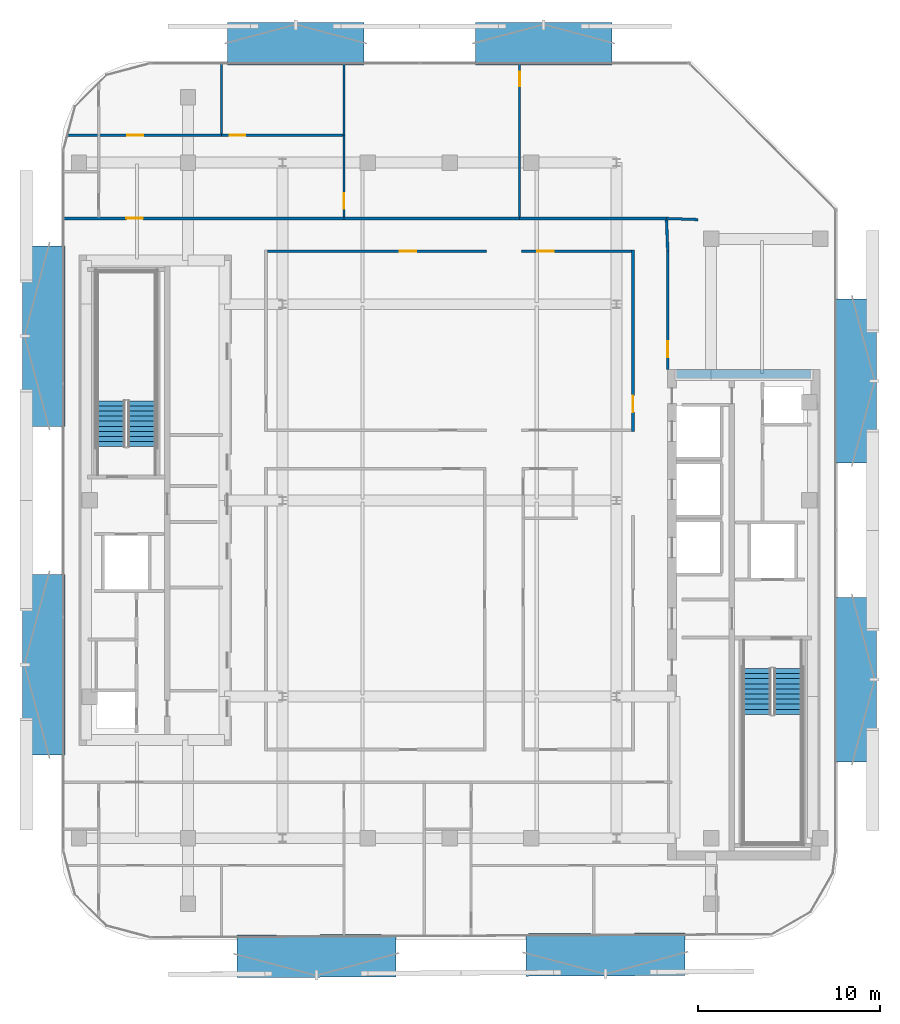
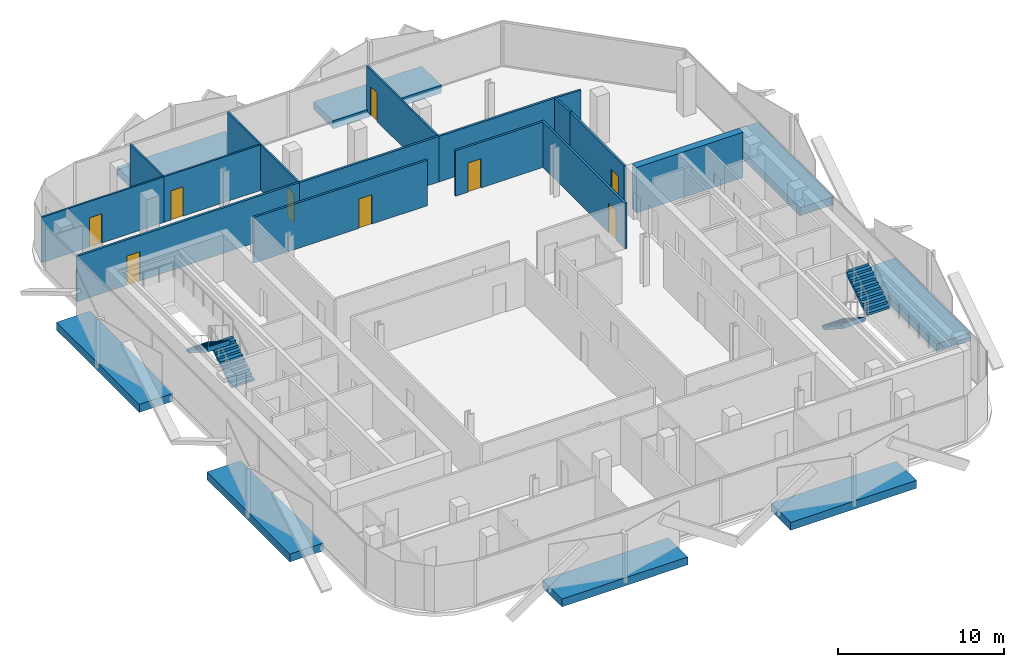
# One storey, part 6 of 15: 16 walls, 9 doors, 8 discrete accessories, 4 stair flights, 9 openings, 2 elements without a shape of their own.
"""IFC4 building model written with IfcOpenShell, lengths in metres."""

import ifcopenshell
import ifcopenshell.guid

model = None  # the IFC model being written
_history = None  # IfcOwnerHistory: only IFC2X3 demands one
_inside = {}  # id of a spatial element -> (the spatial element, [elements in it])
_under = {}  # id of a project, library or spatial element -> (it, [spatial elements below it])
_declared = {}  # id of a project -> (the project, [libraries it declares])
_typed = {}  # id of a type object -> (the type object, [elements of that type])
_made_of = {}  # id of a material, layer set ... -> (it, [elements and type objects made of it])


def new_model(schema):
    """Start an empty IFC model of exactly this schema.

    Asked for "IFC4X3", IfcOpenShell would pick the latest addendum, in which some entities
    have other attributes; the version numbers below select the first issue.
    IFC2X3 requires an IfcOwnerHistory on every rooted entity: one is made here for all.
    """
    global model, _history
    if schema == "IFC4X3":
        model = ifcopenshell.file(schema_version=(4, 3, 0, 0))
    else:
        model = ifcopenshell.file(schema=schema)
    _inside.clear()
    _under.clear()
    _declared.clear()
    _typed.clear()
    _made_of.clear()
    _history = None
    if model.schema == "IFC2X3":
        org = make("IfcOrganization", Name="unknown")
        user = make(
            "IfcPersonAndOrganization",
            ThePerson=make("IfcPerson", FamilyName="unknown"),
            TheOrganization=org,
        )
        app = make(
            "IfcApplication",
            ApplicationDeveloper=org,
            Version="unknown",
            ApplicationFullName="unknown",
            ApplicationIdentifier="unknown",
        )
        _history = make(
            "IfcOwnerHistory",
            OwningUser=user,
            OwningApplication=app,
            ChangeAction="ADDED",
            CreationDate=0,
        )
    return model


def make(cls, **values):
    """One entity of the class cls with the attributes given. An attribute that is None is left unset."""
    return model.create_entity(
        cls, **{name: value for name, value in values.items() if value is not None}
    )


def rooted(cls, **values):
    """An entity with a GlobalId (a new one), such as an element, a storey or a relation."""
    return make(cls, GlobalId=ifcopenshell.guid.new(), OwnerHistory=_history, **values)


def si_unit(unit_type, name, prefix=None):
    """IfcSIUnit, for example si_unit("LENGTHUNIT", "METRE", prefix="MILLI")."""
    return make("IfcSIUnit", UnitType=unit_type, Prefix=prefix, Name=name)


def assignment(units):
    """IfcUnitAssignment: the units of a project."""
    return None if units is None else make("IfcUnitAssignment", Units=units)


def point(xyz):
    """IfcCartesianPoint."""
    return None if xyz is None else make("IfcCartesianPoint", Coordinates=xyz)


def direction(xyz):
    """IfcDirection."""
    return None if xyz is None else make("IfcDirection", DirectionRatios=xyz)


def frame(location, z_axis=None, x_axis=None):
    """IfcAxis2Placement3D, a coordinate frame: its origin and axes. An axis left out is left unset."""
    return make(
        "IfcAxis2Placement3D",
        Location=point(location),
        Axis=direction(z_axis),
        RefDirection=direction(x_axis),
    )


def frame_2d(location, x_axis=None):
    """IfcAxis2Placement2D, a coordinate frame in the plane: its origin and x axis."""
    return make(
        "IfcAxis2Placement2D", Location=point(location), RefDirection=direction(x_axis)
    )


def origin():
    """The frame at (0, 0, 0) with its axes left unset."""
    return frame((0.0, 0.0, 0.0))


def origin_2d():
    """The frame at (0, 0) in the plane with its x axis left unset."""
    return frame_2d((0.0, 0.0))


def place(relative_to, where):
    """IfcLocalPlacement: puts the frame where relative to a parent placement (None: the world)."""
    return make(
        "IfcLocalPlacement", PlacementRelTo=relative_to, RelativePlacement=where
    )


def context(
    kind, dimensions, precision=None, world=None, true_north=None, identifier=None
):
    """IfcGeometricRepresentationContext, for example the 3D "Model" context."""
    return make(
        "IfcGeometricRepresentationContext",
        ContextIdentifier=identifier,
        ContextType=kind,
        CoordinateSpaceDimension=dimensions,
        Precision=precision,
        WorldCoordinateSystem=world,
        TrueNorth=true_north,
    )


def subcontext(parent, identifier, kind, view, scale=None):
    """IfcGeometricRepresentationSubContext, for example "Body" below "Model"."""
    return make(
        "IfcGeometricRepresentationSubContext",
        ContextIdentifier=identifier,
        ContextType=kind,
        ParentContext=parent,
        TargetScale=scale,
        TargetView=view,
    )


def project(units=None, contexts=None):
    """IfcProject with its units and contexts."""
    return rooted(
        "IfcProject",
        Name="project",
        RepresentationContexts=contexts,
        UnitsInContext=assignment(units),
    )


def spatial(cls, under=None, at=None, **own):
    """A site, building, storey or space (cls), placed at a placement, below another one or the project."""
    s = rooted(cls, ObjectPlacement=at, **own)
    if under is not None:
        _under.setdefault(under.id(), (under, []))[1].append(s)
    return s


def polyline(points):
    """IfcPolyline through the points."""
    return make("IfcPolyline", Points=[point(p) for p in points])


def profile(cls, at=None, kind="AREA", **sizes):
    """A parametric profile (cls). Its sizes go by their IFC names, for example OverallWidth=200.0."""
    return make(cls, ProfileType=kind, Position=at, **sizes)


def rectangle(**sizes):
    """IfcRectangleProfileDef."""
    return profile("IfcRectangleProfileDef", **sizes)


def outline(outer, holes=None, kind="AREA"):
    """IfcArbitraryClosedProfileDef: a profile drawn as a closed curve; with holes, ...WithVoids."""
    if holes is None:
        return make("IfcArbitraryClosedProfileDef", ProfileType=kind, OuterCurve=outer)
    return make(
        "IfcArbitraryProfileDefWithVoids",
        ProfileType=kind,
        OuterCurve=outer,
        InnerCurves=holes,
    )


def extrude(swept, where, along, depth):
    """IfcExtrudedAreaSolid: the profile swept, set in the frame where, extruded along a direction by depth."""
    return make(
        "IfcExtrudedAreaSolid",
        SweptArea=swept,
        Position=where,
        ExtrudedDirection=direction(along),
        Depth=depth,
    )


def shape(context_of_items, identifier, shape_type, items):
    """IfcShapeRepresentation: the items that make up one representation, for example the "Body"."""
    return make(
        "IfcShapeRepresentation",
        ContextOfItems=context_of_items,
        RepresentationIdentifier=identifier,
        RepresentationType=shape_type,
        Items=items,
    )


def material(Name=None, Category=None):
    """IfcMaterial."""
    return make("IfcMaterial", Name=Name, Category=Category)


def layer(
    of_material, thickness, ventilated=None, Name=None, Category=None, Priority=None
):
    """IfcMaterialLayer: one layer of a wall or slab, of a material (None: an air gap)."""
    return make(
        "IfcMaterialLayer",
        Material=of_material,
        LayerThickness=thickness,
        IsVentilated=ventilated,
        Name=Name,
        Category=Category,
        Priority=Priority,
    )


def layer_set(layers, Name=None):
    """IfcMaterialLayerSet."""
    return make("IfcMaterialLayerSet", MaterialLayers=layers, LayerSetName=Name)


def made_of(thing, what):
    """Note that an element or type object is made of a material, layer set ...; save() writes the relation."""
    if what is not None:
        _made_of.setdefault(what.id(), (what, []))[1].append(thing)
    return thing


def type_object(cls, material=None, **own):
    """A type object (cls), such as IfcWallType, which elements share."""
    return made_of(rooted(cls, **own), material)


def element(
    cls,
    number,
    at=None,
    inside=None,
    cuts=None,
    type_object=None,
    material=None,
    context=None,
    identifier="Body",
    shape_type=None,
    held_by="IfcProductDefinitionShape",
    body=None,
    shapes=None,
    **own,
):
    """One element of the class cls, such as IfcWall. Its Tag is "e" and its number.

    at: its placement. inside: the storey or other place that contains it. cuts: it is an
    opening in that element (IfcRelVoidsElement). A single representation is given by context,
    identifier, shape_type and body (its items); several are given by shapes. held_by: the class
    of the entity that holds the representations. save() writes the other relations.
    """
    e = rooted(cls, Tag="e%d" % number, ObjectPlacement=at, **own)
    if body is not None:
        shapes = [shape(context, identifier, shape_type, body)]
    if shapes is not None:
        e.Representation = make(held_by, Representations=shapes)
    if inside is not None:
        _inside.setdefault(inside.id(), (inside, []))[1].append(e)
    if cuts is not None:
        rooted(
            "IfcRelVoidsElement", RelatingBuildingElement=cuts, RelatedOpeningElement=e
        )
    if type_object is not None:
        _typed.setdefault(type_object.id(), (type_object, []))[1].append(e)
    return made_of(e, material)


def fill(opening, filler):
    """IfcRelFillsElement: the door or window that sits in an opening."""
    return rooted(
        "IfcRelFillsElement",
        RelatingOpeningElement=opening,
        RelatedBuildingElement=filler,
    )


def aggregate(whole, parts):
    """IfcRelAggregates: a whole, such as a stair, and the parts it consists of."""
    return rooted("IfcRelAggregates", RelatingObject=whole, RelatedObjects=parts)


def save(model, path):
    """Write the relations noted so far, then the file.

    IfcRelAggregates (storeys below a building ...), IfcRelContainedInSpatialStructure (elements
    in a storey), IfcRelDefinesByType, IfcRelAssociatesMaterial and IfcRelDeclares: one each for
    every whole, place, type object, material and project.
    """
    for whole, parts in _under.values():
        aggregate(whole, parts)
    for where, things in _inside.values():
        rooted(
            "IfcRelContainedInSpatialStructure",
            RelatedElements=things,
            RelatingStructure=where,
        )
    for kind, things in _typed.values():
        rooted("IfcRelDefinesByType", RelatedObjects=things, RelatingType=kind)
    for what, things in _made_of.values():
        rooted("IfcRelAssociatesMaterial", RelatedObjects=things, RelatingMaterial=what)
    for by, libraries in _declared.values():
        rooted("IfcRelDeclares", RelatingContext=by, RelatedDefinitions=libraries)
    model.write(path)


model = new_model("IFC4")

# Units and contexts
model_context = context("Model", 3, precision=1e-05, world=origin(), true_north=direction((0.0, 1.0)))
body_context = subcontext(model_context, "Body", "Model", "MODEL_VIEW")
ifc_project = project(units=[si_unit("LENGTHUNIT", "METRE"), si_unit("AREAUNIT", "SQUARE_METRE"), si_unit("VOLUMEUNIT", "CUBIC_METRE"), si_unit("PLANEANGLEUNIT", "RADIAN"), si_unit("MASSUNIT", "GRAM", prefix="KILO")], contexts=[model_context])

# Site, building, storey
site_placement = place(None, origin())
site = spatial("IfcSite", under=ifc_project, at=site_placement, CompositionType="ELEMENT")
building_placement = place(site_placement, origin())
building = spatial("IfcBuilding", under=site, at=building_placement, Name="Khairoan Windgate Tower", CompositionType="ELEMENT")
storey_placement = place(building_placement, frame((0.0, 0.0, 265.60009765625)))
storey = spatial("IfcBuildingStorey", under=building, at=storey_placement, Name="L63", CompositionType="ELEMENT", Elevation=265.60009765625)

# Wall
ifc_material_1 = material(Name="Acoustic Fire-Rated Gypsum Partition", Category="gypsum")
ifc_layer_1 = layer(ifc_material_1, 0.139892578125, Name="Acoustic Fire-Rated Gypsum Partition")
ifc_layer_set_1 = layer_set([ifc_layer_1], Name="Acoustic Fire-Rated Gypsum Partition")
wall_type_1 = type_object("IfcWallType", Name="Inter-Tenancy Compartment Wall", PredefinedType="PARTITIONING", material=ifc_layer_set_1)
wall_1_placement = place(storey_placement, frame((11.93994140625, 15.52490234375, 0.0), z_axis=(0.0, 0.0, 1.0), x_axis=(0.999304229002, -0.037296888581, 0.0)))
element("IfcWall", 1, at=wall_1_placement, inside=storey, type_object=wall_type_1, Name="L63 Interior Partition 044", PredefinedType="PARTITIONING", context=body_context, shape_type="SweptSolid", body=[
    extrude(rectangle(XDim=1.7412109375, YDim=0.139892578125, at=frame_2d((0.87060546875, 0.0))), origin(), (0.0, 0.0, 1.0), 3.33984375),
])

# Wall, opening, door
ifc_material_2 = material(Name="Gypsum Stud Partition", Category="gypsum")
ifc_layer_2 = layer(ifc_material_2, 0.1201171875, Name="Gypsum Stud Partition")
ifc_layer_set_2 = layer_set([ifc_layer_2], Name="Gypsum Stud Partition")
wall_type_2 = type_object("IfcWallType", Name="Internal Room Partition Wall", PredefinedType="PARTITIONING", material=ifc_layer_set_2)
wall_2_placement = place(storey_placement, frame((-5.81005859375, 15.60009765625, 0.0), z_axis=(0.0, 0.0, 1.0), x_axis=(0.0, 1.0, 0.0)))
wall_2 = element("IfcWall", 2, at=wall_2_placement, inside=storey, type_object=wall_type_2, Name="L63 Interior Partition 039", PredefinedType="PARTITIONING", context=body_context, shape_type="SweptSolid", body=[
    extrude(rectangle(XDim=4.5, YDim=0.1201171875, at=frame_2d((2.25, 0.0))), origin(), (0.0, 0.0, 1.0), 3.33984375),
])
opening_1_placement = place(wall_2_placement, frame((0.4599609375, 0.0, 0.0)))
opening_1 = element("IfcOpeningElement", 3, at=opening_1_placement, cuts=wall_2, Name="Opening ID-RM", PredefinedType="OPENING", context=body_context, shape_type="SweptSolid", body=[
    extrude(rectangle(XDim=0.860107421875, YDim=2.14990234375, at=frame_2d((0.43017578125, 1.074951171875))), frame((0.0, 0.070068359375, 0.0), z_axis=(0.0, -1.0, 0.0), x_axis=(1.0, 0.0, 0.0)), (0.0, 0.0, 1.0), 0.14013671875),
])
ifc_material_3 = material(Name="Teak Veneer Timber Leaf", Category="wood")
door_type_1 = type_object("IfcDoorType", Name="Internal Bedroom and Office Door ID-RM 860x2150", OperationType="NOTDEFINED", PredefinedType="DOOR", material=ifc_material_3)
door_1_placement = place(opening_1_placement, origin())
door_1 = element("IfcDoor", 4, at=door_1_placement, inside=storey, type_object=door_type_1, Name="L63 L63-34-L63-35 Door", OperationType="SINGLE_SWING_LEFT", OverallHeight=2.14990234375, OverallWidth=0.860107421875, PredefinedType="DOOR", context=body_context, shape_type="SweptSolid", body=[
    extrude(rectangle(XDim=0.860107421875, YDim=2.14990234375, at=frame_2d((0.43017578125, 1.074951171875))), frame((0.0, 0.02490234375, 0.0), z_axis=(0.0, -1.0, 0.0), x_axis=(1.0, 0.0, 0.0)), (0.0, 0.0, 1.0), 0.050048828125),
])
fill(opening_1, door_1)

wall_3_placement = place(storey_placement, frame((-21.03857421875, 20.10009765625, 0.0), z_axis=(0.0, 0.0, 1.0), x_axis=(1.0, 0.0, 0.0)))
wall_3 = element("IfcWall", 5, at=wall_3_placement, inside=storey, type_object=wall_type_2, Name="L63 Interior Partition 040", PredefinedType="PARTITIONING", context=body_context, shape_type="SweptSolid", body=[
    extrude(rectangle(XDim=8.478515625, YDim=0.1201171875, at=frame_2d((4.2392578125, 0.0))), origin(), (0.0, 0.0, 1.0), 3.33984375),
])
opening_2_placement = place(wall_3_placement, frame((3.3017578125, 0.0, 0.0)))
opening_2 = element("IfcOpeningElement", 6, at=opening_2_placement, cuts=wall_3, Name="Opening ID-RM", PredefinedType="OPENING", context=body_context, shape_type="SweptSolid", body=[
    extrude(rectangle(XDim=0.860107421875, YDim=2.14990234375, at=frame_2d((0.43017578125, 1.074951171875))), frame((0.0, 0.070068359375, 0.0), z_axis=(0.0, -1.0, 0.0), x_axis=(1.0, 0.0, 0.0)), (0.0, 0.0, 1.0), 0.14013671875),
])
door_2_placement = place(opening_2_placement, origin())
door_2 = element("IfcDoor", 7, at=door_2_placement, inside=storey, type_object=door_type_1, Name="L63 L63-34-L63-37 Door", OperationType="SINGLE_SWING_RIGHT", OverallHeight=2.14990234375, OverallWidth=0.860107421875, PredefinedType="DOOR", context=body_context, shape_type="SweptSolid", body=[
    extrude(rectangle(XDim=0.860107421875, YDim=2.14990234375, at=frame_2d((0.43017578125, 1.074951171875))), frame((0.0, 0.02490234375, 0.0), z_axis=(0.0, -1.0, 0.0), x_axis=(1.0, 0.0, 0.0)), (0.0, 0.0, 1.0), 0.050048828125),
])
fill(opening_2, door_2)

wall_4_placement = place(storey_placement, frame((-12.56005859375, 20.10009765625, 0.0), z_axis=(0.0, 0.0, 1.0), x_axis=(1.0, 0.0, 0.0)))
wall_4 = element("IfcWall", 8, at=wall_4_placement, inside=storey, type_object=wall_type_2, Name="L63 Interior Partition 041", PredefinedType="PARTITIONING", context=body_context, shape_type="SweptSolid", body=[
    extrude(rectangle(XDim=6.68994140625, YDim=0.1201171875, at=frame_2d((3.344970703125, 0.0))), origin(), (0.0, 0.0, 1.0), 3.33984375),
])
opening_3_placement = place(wall_4_placement, frame((0.4599609375, 0.0, 0.0)))
opening_3 = element("IfcOpeningElement", 9, at=opening_3_placement, cuts=wall_4, Name="Opening ID-RM", PredefinedType="OPENING", context=body_context, shape_type="SweptSolid", body=[
    extrude(rectangle(XDim=0.860107421875, YDim=2.14990234375, at=frame_2d((0.43017578125, 1.074951171875))), frame((0.0, 0.070068359375, 0.0), z_axis=(0.0, -1.0, 0.0), x_axis=(1.0, 0.0, 0.0)), (0.0, 0.0, 1.0), 0.14013671875),
])
door_3_placement = place(opening_3_placement, origin())
door_3 = element("IfcDoor", 10, at=door_3_placement, inside=storey, type_object=door_type_1, Name="L63 L63-34-L63-38 Door", OperationType="SINGLE_SWING_LEFT", OverallHeight=2.14990234375, OverallWidth=0.860107421875, PredefinedType="DOOR", context=body_context, shape_type="SweptSolid", body=[
    extrude(rectangle(XDim=0.860107421875, YDim=2.14990234375, at=frame_2d((0.43017578125, 1.074951171875))), frame((0.0, 0.02490234375, 0.0), z_axis=(0.0, -1.0, 0.0), x_axis=(1.0, 0.0, 0.0)), (0.0, 0.0, 1.0), 0.050048828125),
])
fill(opening_3, door_3)

wall_5_placement = place(storey_placement, frame((3.85498046875, 15.60009765625, 0.0), z_axis=(0.0, 0.0, 1.0), x_axis=(0.0, 1.0, 0.0)))
wall_5 = element("IfcWall", 11, at=wall_5_placement, inside=storey, type_object=wall_type_2, Name="L63 Interior Partition 042", PredefinedType="PARTITIONING", context=body_context, shape_type="SweptSolid", body=[
    extrude(rectangle(XDim=8.454833984375, YDim=0.1201171875, at=frame_2d((4.2275390625, 0.0))), origin(), (0.0, 0.0, 1.0), 3.33984375),
])
opening_4_placement = place(wall_5_placement, frame((7.195068359375, 0.0, 0.0)))
opening_4 = element("IfcOpeningElement", 12, at=opening_4_placement, cuts=wall_5, Name="Opening ID-BTH", PredefinedType="OPENING", context=body_context, shape_type="SweptSolid", body=[
    extrude(rectangle(XDim=0.800048828125, YDim=2.10009765625, at=frame_2d((0.39990234375, 1.050048828125))), frame((0.0, 0.070068359375, 0.0), z_axis=(0.0, -1.0, 0.0), x_axis=(1.0, 0.0, 0.0)), (0.0, 0.0, 1.0), 0.14013671875),
])
ifc_material_4 = material(Name="Teak Veneer Timber Leaf", Category="wood")
door_type_2 = type_object("IfcDoorType", Name="Internal Bathroom Door ID-BTH 800x2100", OperationType="NOTDEFINED", PredefinedType="DOOR", material=ifc_material_4)
door_4_placement = place(opening_4_placement, origin())
door_4 = element("IfcDoor", 13, at=door_4_placement, inside=storey, type_object=door_type_2, Name="L63 L63-35-L63-36 Door", OperationType="SINGLE_SWING_LEFT", OverallHeight=2.10009765625, OverallWidth=0.800048828125, PredefinedType="DOOR", context=body_context, shape_type="SweptSolid", body=[
    extrude(rectangle(XDim=0.800048828125, YDim=2.10009765625, at=frame_2d((0.39990234375, 1.050048828125))), frame((0.0, 0.02490234375, 0.0), z_axis=(0.0, -1.0, 0.0), x_axis=(1.0, 0.0, 0.0)), (0.0, 0.0, 1.0), 0.050048828125),
])
fill(opening_4, door_4)

# Walls
wall_6_placement = place(storey_placement, frame((-5.81005859375, 20.10009765625, 0.0), z_axis=(0.0, 0.0, 1.0), x_axis=(0.0, 1.0, 0.0)))
element("IfcWall", 14, at=wall_6_placement, inside=storey, type_object=wall_type_2, Name="L63 Interior Partition 043", PredefinedType="PARTITIONING", context=body_context, shape_type="SweptSolid", body=[
    extrude(rectangle(XDim=3.954833984375, YDim=0.1201171875, at=frame_2d((1.9775390625, 0.0))), origin(), (0.0, 0.0, 1.0), 3.33984375),
])
wall_7_placement = place(storey_placement, frame((-12.56005859375, 20.159912109375, 0.0), z_axis=(0.0, 0.0, 1.0), x_axis=(0.0, 1.0, 0.0)))
element("IfcWall", 15, at=wall_7_placement, inside=storey, type_object=wall_type_2, Name="L63 Interior Partition 045", PredefinedType="PARTITIONING", context=body_context, shape_type="SweptSolid", body=[
    extrude(rectangle(XDim=3.89501953125, YDim=0.1201171875, at=frame_2d((1.947509765625, 0.0))), origin(), (0.0, 0.0, 1.0), 3.33984375),
])

# Wall, opening, door
ifc_material_5 = material(Name="Acoustic Fire-Rated Gypsum Partition", Category="gypsum")
ifc_layer_3 = layer(ifc_material_5, 0.14990234375, Name="Acoustic Fire-Rated Gypsum Partition")
ifc_layer_set_3 = layer_set([ifc_layer_3], Name="Acoustic Fire-Rated Gypsum Partition")
wall_type_3 = type_object("IfcWallType", Name="Rated Corridor Partition Wall", PredefinedType="PARTITIONING", material=ifc_layer_set_3)
wall_8_placement = place(storey_placement, frame((12.014892578125, 7.199951171875, 0.0), z_axis=(0.0, 0.0, 1.0), x_axis=(0.0, 1.0, 0.0)))
wall_8 = element("IfcWall", 16, at=wall_8_placement, inside=storey, type_object=wall_type_3, Name="L63 Interior Partition 013", PredefinedType="PARTITIONING", context=body_context, shape_type="SweptSolid", body=[
    extrude(rectangle(XDim=6.52001953125, YDim=0.14990234375, at=frame_2d((3.260009765625, 0.0))), origin(), (0.0, 0.0, 1.0), 3.33984375),
])
opening_5_placement = place(wall_8_placement, frame((0.669921875, 0.0, 0.0)))
opening_5 = element("IfcOpeningElement", 17, at=opening_5_placement, cuts=wall_8, Name="Opening FD-ENT", PredefinedType="OPENING", context=body_context, shape_type="SweptSolid", body=[
    extrude(rectangle(XDim=0.89990234375, YDim=2.14990234375, at=frame_2d((0.449951171875, 1.074951171875))), frame((0.0, 0.0849609375, 0.0), z_axis=(0.0, -1.0, 0.0), x_axis=(1.0, 0.0, 0.0)), (0.0, 0.0, 1.0), 0.169921875),
])
ifc_material_6 = material(Name="Timber Fire-Rated Core", Category="wood")
door_type_3 = type_object("IfcDoorType", Name="Unit and Office Fire Entrance Door FD-ENT 900x2150", OperationType="NOTDEFINED", PredefinedType="DOOR", material=ifc_material_6)
door_5_placement = place(opening_5_placement, origin())
door_5 = element("IfcDoor", 18, at=door_5_placement, inside=storey, type_object=door_type_3, Name="L63 L63-27-L63-51 Door", OperationType="SINGLE_SWING_LEFT", OverallHeight=2.14990234375, OverallWidth=0.89990234375, PredefinedType="DOOR", context=body_context, shape_type="SweptSolid", body=[
    extrude(rectangle(XDim=0.89990234375, YDim=2.14990234375, at=frame_2d((0.449951171875, 1.074951171875))), frame((0.0, 0.02490234375, 0.0), z_axis=(0.0, -1.0, 0.0), x_axis=(1.0, 0.0, 0.0)), (0.0, 0.0, 1.0), 0.050048828125),
])
fill(opening_5, door_5)

wall_9_placement = place(storey_placement, frame((10.10009765625, 3.7900390625, 0.0), z_axis=(0.0, 0.0, 1.0), x_axis=(0.0, 1.0, 0.0)))
wall_9 = element("IfcWall", 19, at=wall_9_placement, inside=storey, type_object=wall_type_3, Name="L63 Interior Partition 014", PredefinedType="PARTITIONING", context=body_context, shape_type="SweptSolid", body=[
    extrude(rectangle(XDim=10.0048828125, YDim=0.14990234375, at=frame_2d((5.00244140625, 0.0))), origin(), (0.0, 0.0, 1.0), 3.33984375),
])
opening_6_placement = place(wall_9_placement, frame((1.073974609375, 0.0, 0.0)))
opening_6 = element("IfcOpeningElement", 20, at=opening_6_placement, cuts=wall_9, Name="Opening FD-ENT", PredefinedType="OPENING", context=body_context, shape_type="SweptSolid", body=[
    extrude(rectangle(XDim=0.89990234375, YDim=2.14990234375, at=frame_2d((0.449951171875, 1.074951171875))), frame((0.0, 0.0849609375, 0.0), z_axis=(0.0, -1.0, 0.0), x_axis=(1.0, 0.0, 0.0)), (0.0, 0.0, 1.0), 0.169921875),
])
door_6_placement = place(opening_6_placement, origin())
door_6 = element("IfcDoor", 21, at=door_6_placement, inside=storey, type_object=door_type_3, Name="L63 L63-27-L63-54 Door", OperationType="SINGLE_SWING_RIGHT", OverallHeight=2.14990234375, OverallWidth=0.89990234375, PredefinedType="DOOR", context=body_context, shape_type="SweptSolid", body=[
    extrude(rectangle(XDim=0.89990234375, YDim=2.14990234375, at=frame_2d((0.449951171875, 1.074951171875))), frame((0.0, 0.02490234375, 0.0), z_axis=(0.0, -1.0, 0.0), x_axis=(1.0, 0.0, 0.0)), (0.0, 0.0, 1.0), 0.050048828125),
])
fill(opening_6, door_6)

wall_10_placement = place(storey_placement, frame((-21.2548828125, 15.52490234375, 0.0), z_axis=(0.0, 0.0, 1.0), x_axis=(1.0, 0.0, 0.0)))
wall_10 = element("IfcWall", 22, at=wall_10_placement, inside=storey, type_object=wall_type_3, Name="L63 Interior Partition 023", PredefinedType="PARTITIONING", context=body_context, shape_type="SweptSolid", body=[
    extrude(rectangle(XDim=15.44482421875, YDim=0.14990234375, at=frame_2d((7.722412109375, 0.0))), origin(), (0.0, 0.0, 1.0), 3.33984375),
])
opening_7_placement = place(wall_10_placement, frame((3.465576171875, 0.0, 0.0)))
opening_7 = element("IfcOpeningElement", 23, at=opening_7_placement, cuts=wall_10, Name="Opening FD-ENT", PredefinedType="OPENING", context=body_context, shape_type="SweptSolid", body=[
    extrude(rectangle(XDim=0.89990234375, YDim=2.14990234375, at=frame_2d((0.449951171875, 1.074951171875))), frame((0.0, 0.0849609375, 0.0), z_axis=(0.0, -1.0, 0.0), x_axis=(1.0, 0.0, 0.0)), (0.0, 0.0, 1.0), 0.169921875),
])
door_7_placement = place(opening_7_placement, origin())
door_7 = element("IfcDoor", 24, at=door_7_placement, inside=storey, type_object=door_type_3, Name="L63 L63-30-L63-34 Door", OperationType="SINGLE_SWING_LEFT", OverallHeight=2.14990234375, OverallWidth=0.89990234375, PredefinedType="DOOR", context=body_context, shape_type="SweptSolid", body=[
    extrude(rectangle(XDim=0.89990234375, YDim=2.14990234375, at=frame_2d((0.449951171875, 1.074951171875))), frame((0.0, 0.02490234375, 0.0), z_axis=(0.0, -1.0, 0.0), x_axis=(1.0, 0.0, 0.0)), (0.0, 0.0, 1.0), 0.050048828125),
])
fill(opening_7, door_7)

# Walls
wall_11_placement = place(storey_placement, frame((-5.81005859375, 15.52490234375, 0.0), z_axis=(0.0, 0.0, 1.0), x_axis=(1.0, 0.0, 0.0)))
element("IfcWall", 25, at=wall_11_placement, inside=storey, type_object=wall_type_3, Name="L63 Interior Partition 024", PredefinedType="PARTITIONING", context=body_context, shape_type="SweptSolid", body=[
    extrude(rectangle(XDim=9.6650390625, YDim=0.14990234375, at=frame_2d((4.83251953125, 0.0))), origin(), (0.0, 0.0, 1.0), 3.33984375),
])
wall_12_placement = place(storey_placement, frame((3.85498046875, 15.52490234375, 0.0), z_axis=(0.0, 0.0, 1.0), x_axis=(1.0, 0.0, 0.0)))
element("IfcWall", 26, at=wall_12_placement, inside=storey, type_object=wall_type_3, Name="L63 Interior Partition 025", PredefinedType="PARTITIONING", context=body_context, shape_type="SweptSolid", body=[
    extrude(rectangle(XDim=8.0849609375, YDim=0.14990234375, at=frame_2d((4.04248046875, 0.0))), origin(), (0.0, 0.0, 1.0), 3.33984375),
])
wall_13_placement = place(storey_placement, frame((12.014892578125, 13.719970703125, 0.0), z_axis=(0.0, 0.0, 1.0), x_axis=(-0.040046877756, 0.99919780203, 0.0)))
element("IfcWall", 27, at=wall_13_placement, inside=storey, type_object=wall_type_3, Name="L63 Interior Partition 026", PredefinedType="PARTITIONING", context=body_context, shape_type="SweptSolid", body=[
    extrude(rectangle(XDim=1.7314453125, YDim=0.14990234375, at=frame_2d((0.86572265625, 0.0))), origin(), (0.0, 0.0, 1.0), 3.33984375),
])

# Wall, opening, door
wall_14_placement = place(storey_placement, frame((-10.02490234375, 13.719970703125, 0.0), z_axis=(0.0, 0.0, 1.0), x_axis=(1.0, 0.0, 0.0)))
wall_14 = element("IfcWall", 28, at=wall_14_placement, inside=storey, type_object=wall_type_3, Name="L63 Interior Partition 027", PredefinedType="PARTITIONING", context=body_context, shape_type="SweptSolid", body=[
    extrude(rectangle(XDim=12.054931640625, YDim=0.14990234375, at=frame_2d((6.02734375, 0.0))), origin(), (0.0, 0.0, 1.0), 3.33984375),
])
opening_8_placement = place(wall_14_placement, frame((7.283203125, 0.0, 0.0)))
opening_8 = element("IfcOpeningElement", 29, at=opening_8_placement, cuts=wall_14, Name="Opening FD-ENT", PredefinedType="OPENING", context=body_context, shape_type="SweptSolid", body=[
    extrude(rectangle(XDim=0.89990234375, YDim=2.14990234375, at=frame_2d((0.449951171875, 1.074951171875))), frame((0.0, 0.0849609375, 0.0), z_axis=(0.0, -1.0, 0.0), x_axis=(1.0, 0.0, 0.0)), (0.0, 0.0, 1.0), 0.169921875),
])
door_8_placement = place(opening_8_placement, origin())
door_8 = element("IfcDoor", 30, at=door_8_placement, inside=storey, type_object=door_type_3, Name="L63 L63-30-L63-52 Door", OperationType="SINGLE_SWING_LEFT", OverallHeight=2.14990234375, OverallWidth=0.89990234375, PredefinedType="DOOR", context=body_context, shape_type="SweptSolid", body=[
    extrude(rectangle(XDim=0.89990234375, YDim=2.14990234375, at=frame_2d((0.449951171875, 1.074951171875))), frame((0.0, 0.02490234375, 0.0), z_axis=(0.0, -1.0, 0.0), x_axis=(1.0, 0.0, 0.0)), (0.0, 0.0, 1.0), 0.050048828125),
])
fill(opening_8, door_8)

wall_15_placement = place(storey_placement, frame((3.969970703125, 13.719970703125, 0.0), z_axis=(0.0, 0.0, 1.0), x_axis=(1.0, 0.0, 0.0)))
wall_15 = element("IfcWall", 31, at=wall_15_placement, inside=storey, type_object=wall_type_3, Name="L63 Interior Partition 028", PredefinedType="PARTITIONING", context=body_context, shape_type="SweptSolid", body=[
    extrude(rectangle(XDim=6.054931640625, YDim=0.14990234375, at=frame_2d((3.02734375, 0.0))), origin(), (0.0, 0.0, 1.0), 3.33984375),
])
opening_9_placement = place(wall_15_placement, frame((0.86328125, 0.0, 0.0)))
opening_9 = element("IfcOpeningElement", 32, at=opening_9_placement, cuts=wall_15, Name="Opening FD-ENT", PredefinedType="OPENING", context=body_context, shape_type="SweptSolid", body=[
    extrude(rectangle(XDim=0.89990234375, YDim=2.14990234375, at=frame_2d((0.449951171875, 1.074951171875))), frame((0.0, 0.0849609375, 0.0), z_axis=(0.0, -1.0, 0.0), x_axis=(1.0, 0.0, 0.0)), (0.0, 0.0, 1.0), 0.169921875),
])
door_9_placement = place(opening_9_placement, origin())
door_9 = element("IfcDoor", 33, at=door_9_placement, inside=storey, type_object=door_type_3, Name="L63 L63-30-L63-54 Door", OperationType="SINGLE_SWING_RIGHT", OverallHeight=2.14990234375, OverallWidth=0.89990234375, PredefinedType="DOOR", context=body_context, shape_type="SweptSolid", body=[
    extrude(rectangle(XDim=0.89990234375, YDim=2.14990234375, at=frame_2d((0.449951171875, 1.074951171875))), frame((0.0, 0.02490234375, 0.0), z_axis=(0.0, -1.0, 0.0), x_axis=(1.0, 0.0, 0.0)), (0.0, 0.0, 1.0), 0.050048828125),
])
fill(opening_9, door_9)

# Wall
ifc_material_7 = material(Name="Concrete C50/60", Category="concrete")
ifc_layer_4 = layer(ifc_material_7, 0.5, Name="Concrete C50/60")
ifc_layer_set_4 = layer_set([ifc_layer_4], Name="Concrete C50/60")
wall_type_4 = type_object("IfcWallType", Name="Shear Wall CW-E3 500mm", PredefinedType="SHEAR", material=ifc_layer_set_4)
wall_16_placement = place(storey_placement, frame((12.5, 6.949951171875, 0.0), z_axis=(0.0, 0.0, 1.0), x_axis=(1.0, 0.0, 0.0)))
element("IfcWall", 34, at=wall_16_placement, inside=storey, type_object=wall_type_4, Name="E Core North Shear Wall L63", PredefinedType="SHEAR", context=body_context, shape_type="SweptSolid", body=[
    extrude(rectangle(XDim=7.39990234375, YDim=0.5, at=frame_2d((3.699951171875, 0.0))), origin(), (0.0, 0.0, 1.0), 3.33984375),
])

# Stair, stair flights
ifc_material_8 = material(Name="Concrete C40/50", Category="concrete")
stair_type = type_object("IfcStairType", Name="Tower Core Dog-Leg Stair ST-T1 1560mm", PredefinedType="HALF_TURN_STAIR", material=ifc_material_8)
stair_1_placement = place(storey_placement, origin())
stair_1 = element("IfcStair", 35, at=stair_1_placement, inside=storey, type_object=stair_type, Name="L63 Stair ST1", PredefinedType="HALF_TURN_STAIR")
ifc_material_9 = material(Name="Concrete C40/50", Category="concrete")
ifc_layer_5 = layer(ifc_material_9, 0.14990234375, Name="Concrete C40/50")
ifc_layer_set_5 = layer_set([ifc_layer_5], Name="Concrete C40/50")
stair_flight_type = type_object("IfcStairFlightType", Name="Tower Core Stair Flight STF-1560", PredefinedType="STRAIGHT", material=ifc_layer_set_5)
stair_flight_1_placement = place(storey_placement, frame((16.929931640625, -9.260009765625, 0.0), z_axis=(0.0, 0.0, 1.0), x_axis=(0.0, -1.0, 0.0)))
stair_flight_1 = element("IfcStairFlight", 36, at=stair_flight_1_placement, type_object=stair_flight_type, Name="ST1 flight 1", NumberOfRisers=10, NumberOfTreads=9, PredefinedType="STRAIGHT", RiserHeight=0.18, TreadLength=0.28, context=body_context, shape_type="SweptSolid", body=[
    extrude(outline(polyline([(-0.00390625, 0.0), (-0.00390625, 0.179931640625), (0.0, 0.179931640625), (0.280029296875, 0.179931640625), (0.280029296875, 0.360107421875), (0.56005859375, 0.360107421875), (0.56005859375, 0.5400390625), (0.840087890625, 0.5400390625), (0.840087890625, 0.719970703125), (1.1201171875, 0.719970703125), (1.1201171875, 0.89990234375), (1.39990234375, 0.89990234375), (1.39990234375, 1.080078125), (1.679931640625, 1.080078125), (1.679931640625, 1.260009765625), (1.9599609375, 1.260009765625), (1.9599609375, 1.43994140625), (2.239990234375, 1.43994140625), (2.239990234375, 1.6201171875), (2.52001953125, 1.6201171875), (2.52001953125, 1.800048828125), (2.52392578125, 1.800048828125), (2.52392578125, 1.44189453125), (0.277099609375, 0.0), (-0.00390625, 0.0)])), frame((0.0, 0.780029296875, 0.0), z_axis=(0.0, -1.0, 0.0), x_axis=(1.0, 0.0, 0.0)), (0.0, 0.0, 1.0), 1.56005859375),
])
stair_flight_2_placement = place(storey_placement, frame((18.639892578125, -11.780029296875, 1.7998046875), z_axis=(0.0, 0.0, 1.0), x_axis=(0.0, 1.0, 0.0)))
stair_flight_2 = element("IfcStairFlight", 37, at=stair_flight_2_placement, type_object=stair_flight_type, Name="ST1 flight 2", NumberOfRisers=10, NumberOfTreads=9, PredefinedType="STRAIGHT", RiserHeight=0.18, TreadLength=0.28, context=body_context, shape_type="SweptSolid", body=[
    extrude(outline(polyline([(-0.00390625, 0.0), (-0.00390625, 0.179931640625), (0.0, 0.179931640625), (0.280029296875, 0.179931640625), (0.280029296875, 0.360107421875), (0.56005859375, 0.360107421875), (0.56005859375, 0.5400390625), (0.840087890625, 0.5400390625), (0.840087890625, 0.719970703125), (1.1201171875, 0.719970703125), (1.1201171875, 0.89990234375), (1.39990234375, 0.89990234375), (1.39990234375, 1.080078125), (1.679931640625, 1.080078125), (1.679931640625, 1.260009765625), (1.9599609375, 1.260009765625), (1.9599609375, 1.43994140625), (2.239990234375, 1.43994140625), (2.239990234375, 1.6201171875), (2.52001953125, 1.6201171875), (2.52001953125, 1.800048828125), (2.52392578125, 1.800048828125), (2.52392578125, 1.44189453125), (0.277099609375, 0.0), (-0.00390625, 0.0)])), frame((0.0, 0.780029296875, 0.0), z_axis=(0.0, -1.0, 0.0), x_axis=(1.0, 0.0, 0.0)), (0.0, 0.0, 1.0), 1.56005859375),
])
aggregate(stair_1, [stair_flight_1, stair_flight_2])

stair_2_placement = place(storey_placement, origin())
stair_2 = element("IfcStair", 38, at=stair_2_placement, inside=storey, type_object=stair_type, Name="L63 Stair ST2", PredefinedType="HALF_TURN_STAIR")
stair_flight_3_placement = place(storey_placement, frame((-16.929931640625, 2.9599609375, 0.0), z_axis=(0.0, 0.0, 1.0), x_axis=(0.0, 1.0, 0.0)))
stair_flight_3 = element("IfcStairFlight", 39, at=stair_flight_3_placement, type_object=stair_flight_type, Name="ST2 flight 1", NumberOfRisers=10, NumberOfTreads=9, PredefinedType="STRAIGHT", RiserHeight=0.18, TreadLength=0.28, context=body_context, shape_type="SweptSolid", body=[
    extrude(outline(polyline([(-0.00390625, 0.0), (-0.00390625, 0.179931640625), (0.0, 0.179931640625), (0.280029296875, 0.179931640625), (0.280029296875, 0.360107421875), (0.56005859375, 0.360107421875), (0.56005859375, 0.5400390625), (0.840087890625, 0.5400390625), (0.840087890625, 0.719970703125), (1.1201171875, 0.719970703125), (1.1201171875, 0.89990234375), (1.39990234375, 0.89990234375), (1.39990234375, 1.080078125), (1.679931640625, 1.080078125), (1.679931640625, 1.260009765625), (1.9599609375, 1.260009765625), (1.9599609375, 1.43994140625), (2.239990234375, 1.43994140625), (2.239990234375, 1.6201171875), (2.52001953125, 1.6201171875), (2.52001953125, 1.800048828125), (2.52392578125, 1.800048828125), (2.52392578125, 1.44189453125), (0.277099609375, 0.0), (-0.00390625, 0.0)])), frame((0.0, 0.780029296875, 0.0), z_axis=(0.0, -1.0, 0.0), x_axis=(1.0, 0.0, 0.0)), (0.0, 0.0, 1.0), 1.56005859375),
])
stair_flight_4_placement = place(storey_placement, frame((-18.639892578125, 5.47998046875, 1.7998046875), z_axis=(0.0, 0.0, 1.0), x_axis=(0.0, -1.0, 0.0)))
stair_flight_4 = element("IfcStairFlight", 40, at=stair_flight_4_placement, type_object=stair_flight_type, Name="ST2 flight 2", NumberOfRisers=10, NumberOfTreads=9, PredefinedType="STRAIGHT", RiserHeight=0.18, TreadLength=0.28, context=body_context, shape_type="SweptSolid", body=[
    extrude(outline(polyline([(-0.00390625, 0.0), (-0.00390625, 0.179931640625), (0.0, 0.179931640625), (0.280029296875, 0.179931640625), (0.280029296875, 0.360107421875), (0.56005859375, 0.360107421875), (0.56005859375, 0.5400390625), (0.840087890625, 0.5400390625), (0.840087890625, 0.719970703125), (1.1201171875, 0.719970703125), (1.1201171875, 0.89990234375), (1.39990234375, 0.89990234375), (1.39990234375, 1.080078125), (1.679931640625, 1.080078125), (1.679931640625, 1.260009765625), (1.9599609375, 1.260009765625), (1.9599609375, 1.43994140625), (2.239990234375, 1.43994140625), (2.239990234375, 1.6201171875), (2.52001953125, 1.6201171875), (2.52001953125, 1.800048828125), (2.52392578125, 1.800048828125), (2.52392578125, 1.44189453125), (0.277099609375, 0.0), (-0.00390625, 0.0)])), frame((0.0, 0.780029296875, 0.0), z_axis=(0.0, -1.0, 0.0), x_axis=(1.0, 0.0, 0.0)), (0.0, 0.0, 1.0), 1.56005859375),
])
aggregate(stair_2, [stair_flight_3, stair_flight_4])

# Discrete accessories
ifc_material_10 = material(Name="Steel S355", Category="steel")
discrete_accessory_type = type_object("IfcDiscreteAccessoryType", Name="Solar Screen Outrigger Slab Bracket SSB-1", PredefinedType="BRACKET", material=ifc_material_10)
for number, where, z_axis, x_axis, name in (
    (41, (8.581298828125, -25.01025390625, -0.420166015625), (0.0, 0.0, 1.0), (-0.999988896716, -0.004712371539, 0.0), "L63 Solar Screen Outrigger Bracket 433"),
    (42, (-7.330078125, -25.086181640625, -0.420166015625), (0.0, 0.0, 1.0), (-0.999988896716, -0.004712371539, 0.0), "L63 Solar Screen Outrigger Bracket 434"),
):
    element("IfcDiscreteAccessory", number, at=place(storey_placement, frame(where, z_axis=z_axis, x_axis=x_axis)), inside=storey, type_object=discrete_accessory_type, Name=name, PredefinedType="BRACKET", context=body_context, shape_type="SweptSolid", body=[
        extrude(rectangle(XDim=8.7509765625, YDim=2.340087890625, at=origin_2d()), origin(), (0.0, 0.0, 1.0), 0.580078125),
    ])
for number, where, z_axis, x_axis, name in (
    (43, (-22.330078125, -9.04541015625, -0.420166015625), (0.0, 0.0, 1.0), (0.0, 1.0, 0.0), "L63 Solar Screen Outrigger Bracket 435"),
    (44, (-22.330078125, 9.04541015625, -0.420166015625), (0.0, 0.0, 1.0), (0.0, 1.0, 0.0), "L63 Solar Screen Outrigger Bracket 436"),
):
    element("IfcDiscreteAccessory", number, at=place(storey_placement, frame(where, z_axis=z_axis, x_axis=x_axis)), inside=storey, type_object=discrete_accessory_type, Name=name, PredefinedType="BRACKET", context=body_context, shape_type="SweptSolid", body=[
        extrude(rectangle(XDim=9.949951171875, YDim=2.340087890625, at=origin_2d()), origin(), (0.0, 0.0, 1.0), 0.580078125),
    ])
for number, where, z_axis, x_axis, name in (
    (45, (-8.467529296875, 25.1298828125, -0.420166015625), (0.0, 0.0, 1.0), (1.0, 0.0, 0.0), "L63 Solar Screen Outrigger Bracket 437"),
    (46, (5.1787109375, 25.1298828125, -0.420166015625), (0.0, 0.0, 1.0), (1.0, 0.0, 0.0), "L63 Solar Screen Outrigger Bracket 438"),
):
    element("IfcDiscreteAccessory", number, at=place(storey_placement, frame(where, z_axis=z_axis, x_axis=x_axis)), inside=storey, type_object=discrete_accessory_type, Name=name, PredefinedType="BRACKET", context=body_context, shape_type="SweptSolid", body=[
        extrude(rectangle(XDim=7.506103515625, YDim=2.340087890625, at=origin_2d()), origin(), (0.0, 0.0, 1.0), 0.580078125),
    ])
for number, where, z_axis, x_axis, name in (
    (47, (22.330078125, 6.578857421875, -0.420166015625), (0.0, 0.0, 1.0), (0.0, -1.0, 0.0), "L63 Solar Screen Outrigger Bracket 439"),
    (48, (22.330078125, -9.86767578125, -0.420166015625), (0.0, 0.0, 1.0), (0.0, -1.0, 0.0), "L63 Solar Screen Outrigger Bracket 440"),
):
    element("IfcDiscreteAccessory", number, at=place(storey_placement, frame(where, z_axis=z_axis, x_axis=x_axis)), inside=storey, type_object=discrete_accessory_type, Name=name, PredefinedType="BRACKET", context=body_context, shape_type="SweptSolid", body=[
        extrude(rectangle(XDim=9.0458984375, YDim=2.340087890625, at=origin_2d()), origin(), (0.0, 0.0, 1.0), 0.580078125),
    ])

save(model, "model.ifc")
